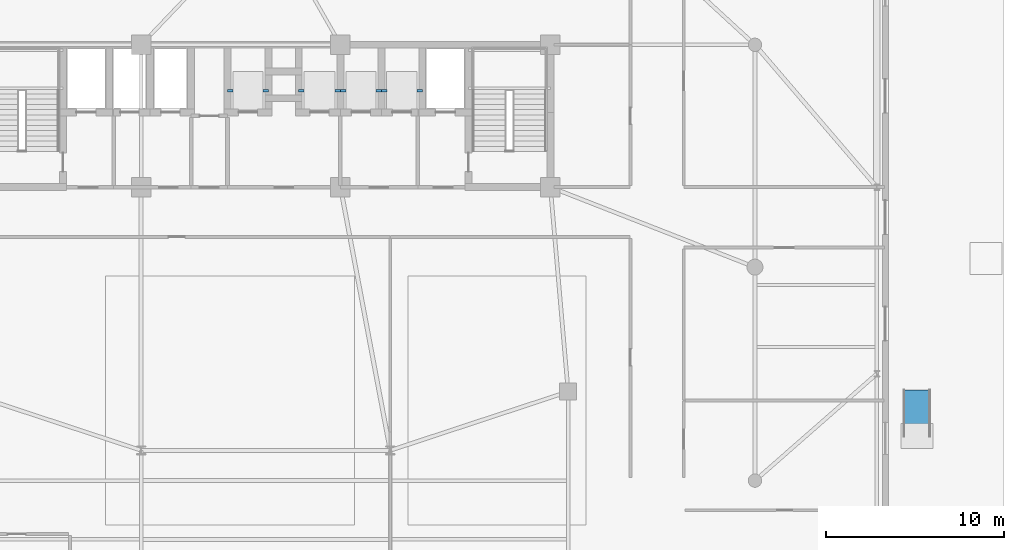
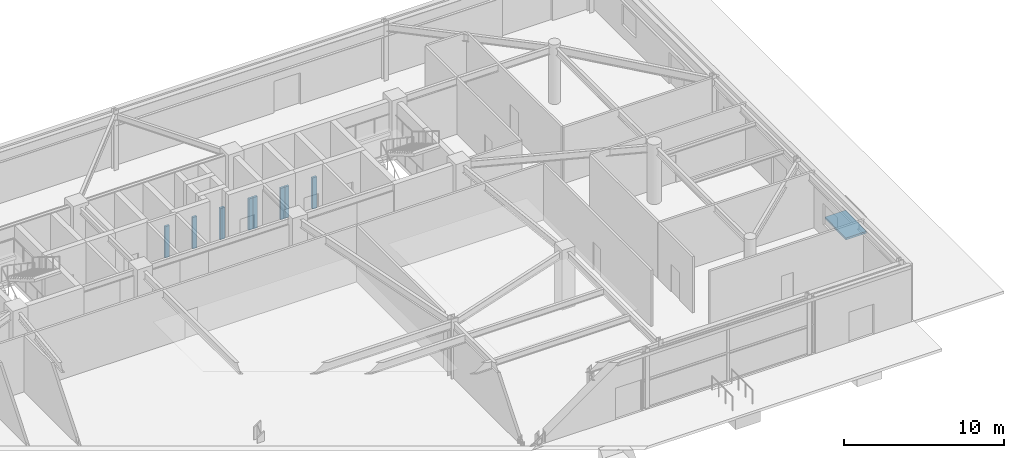
# One storey, part 24 of 29: 8 discrete accessories, 1 ramp flight, 1 element without a shape of its own.
"""IFC4 building model written with IfcOpenShell, lengths in metres."""

from ifc_helpers import new_model, si_unit, direction, frame, origin, origin_2d, place, context, subcontext, project, spatial, polyline, rectangle, outline, extrude, source, transform, mapped, material, layer, layer_set, type_object, element, aggregate, save


model = new_model("IFC4")

# Units and contexts
model_context = context("Model", 3, precision=1e-05, world=origin(), true_north=direction((0.0, 1.0)))
body_context = subcontext(model_context, "Body", "Model", "MODEL_VIEW")
ifc_project = project(units=[si_unit("LENGTHUNIT", "METRE"), si_unit("AREAUNIT", "SQUARE_METRE"), si_unit("VOLUMEUNIT", "CUBIC_METRE"), si_unit("PLANEANGLEUNIT", "RADIAN"), si_unit("MASSUNIT", "GRAM", prefix="KILO")], contexts=[model_context])

# Site, building, storey
site_placement = place(None, origin())
site = spatial("IfcSite", under=ifc_project, at=site_placement, CompositionType="ELEMENT")
building_placement = place(site_placement, origin())
building = spatial("IfcBuilding", under=site, at=building_placement, Name="Taldren Reach Tower", CompositionType="ELEMENT")
storey_placement = place(building_placement, origin())
storey = spatial("IfcBuildingStorey", under=building, at=storey_placement, Name="L00", CompositionType="ELEMENT", Elevation=0.0)

# Ramp, ramp flight
ifc_material_1 = material(Name="Concrete N40 (40 MPa)", Category="concrete")
ramp_type = type_object("IfcRampType", Name="RMP-PED-180", PredefinedType="STRAIGHT_RUN_RAMP", material=ifc_material_1)
ramp_placement = place(storey_placement, origin())
ramp = element("IfcRamp", 1, at=ramp_placement, inside=storey, type_object=ramp_type, Name="Accessible pedestrian entry ramp E1", PredefinedType="STRAIGHT_RUN_RAMP")
ifc_layer = layer(ifc_material_1, 0.179931640625)
ifc_layer_set = layer_set([ifc_layer], Name="Concrete N40 (40 MPa)")
ramp_flight_type = type_object("IfcRampFlightType", Name="RMF-PED-180", PredefinedType="STRAIGHT", material=ifc_layer_set)
ramp_flight_placement = place(storey_placement, frame((71.60009765625, 10.0, -0.0400390625), z_axis=(0.0, 0.0, 1.0), x_axis=(0.0, 1.0, 0.0)))
ramp_flight = element("IfcRampFlight", 2, at=ramp_flight_placement, type_object=ramp_flight_type, Name="Accessible ramp flight E1", PredefinedType="STRAIGHT", context=body_context, shape_type="SweptSolid", body=[
    extrude(outline(polyline([(0.0, -0.14990234375), (0.0, 0.0), (2.60009765625, 0.0400390625), (2.60009765625, -0.10986328125), (0.0, -0.14990234375)])), frame((0.0, 0.75, 0.0), z_axis=(0.0, -1.0, 0.0), x_axis=(1.0, 0.0, 0.0)), (0.0, 0.0, 1.0), 1.5),
])
aggregate(ramp, [ramp_flight])

# Discrete accessories
ifc_material_2 = material(Name="Steel Gr 350 (350PLUS)", Category="steel")
discrete_accessory_type = type_object("IfcDiscreteAccessoryType", Name="ACC-GUIDE-RAIL", PredefinedType="USERDEFINED", material=ifc_material_2)
shared_shape = source(origin(), body_context, "Body", "SweptSolid", [
    extrude(rectangle(XDim=0.320068359375, YDim=0.159912109375, at=origin_2d()), origin(), (0.0, 0.0, 1.0), 2.39990234375),
])
for number, where, z_axis, x_axis, name in (
    (3, (33.0, 29.4150390625, 0.0), (0.0, 0.0, 1.0), (1.0, 0.0, 0.0), "Lift car guide-rail assembly PM1-L"),
    (4, (35.0, 29.4150390625, 0.0), (0.0, 0.0, 1.0), (1.0, 0.0, 0.0), "Lift car guide-rail assembly PM1-R"),
    (5, (37.0, 29.4150390625, 0.0), (0.0, 0.0, 1.0), (1.0, 0.0, 0.0), "Lift car guide-rail assembly PM2-L"),
    (6, (39.050048828125, 29.4150390625, 0.0), (0.0, 0.0, 1.0), (1.0, 0.0, 0.0), "Lift car guide-rail assembly PM2-R"),
    (7, (39.35009765625, 29.4150390625, 0.0), (0.0, 0.0, 1.0), (1.0, 0.0, 0.0), "Lift car guide-rail assembly PH1-L"),
    (8, (41.35009765625, 29.4150390625, 0.0), (0.0, 0.0, 1.0), (1.0, 0.0, 0.0), "Lift car guide-rail assembly PH1-R"),
    (9, (41.64990234375, 29.4150390625, 0.0), (0.0, 0.0, 1.0), (1.0, 0.0, 0.0), "Lift car guide-rail assembly PH2-L"),
    (10, (43.64990234375, 29.4150390625, 0.0), (0.0, 0.0, 1.0), (1.0, 0.0, 0.0), "Lift car guide-rail assembly PH2-R"),
):
    element("IfcDiscreteAccessory", number, at=place(storey_placement, frame(where, z_axis=z_axis, x_axis=x_axis)), inside=storey, type_object=discrete_accessory_type, Name=name, ObjectType="GUIDE RAIL", PredefinedType="USERDEFINED", context=body_context, shape_type="MappedRepresentation", body=[
        mapped(shared_shape, transform((0.0, 0.0, 0.0), scale=1.0)),
    ])

save(model, "model.ifc")
